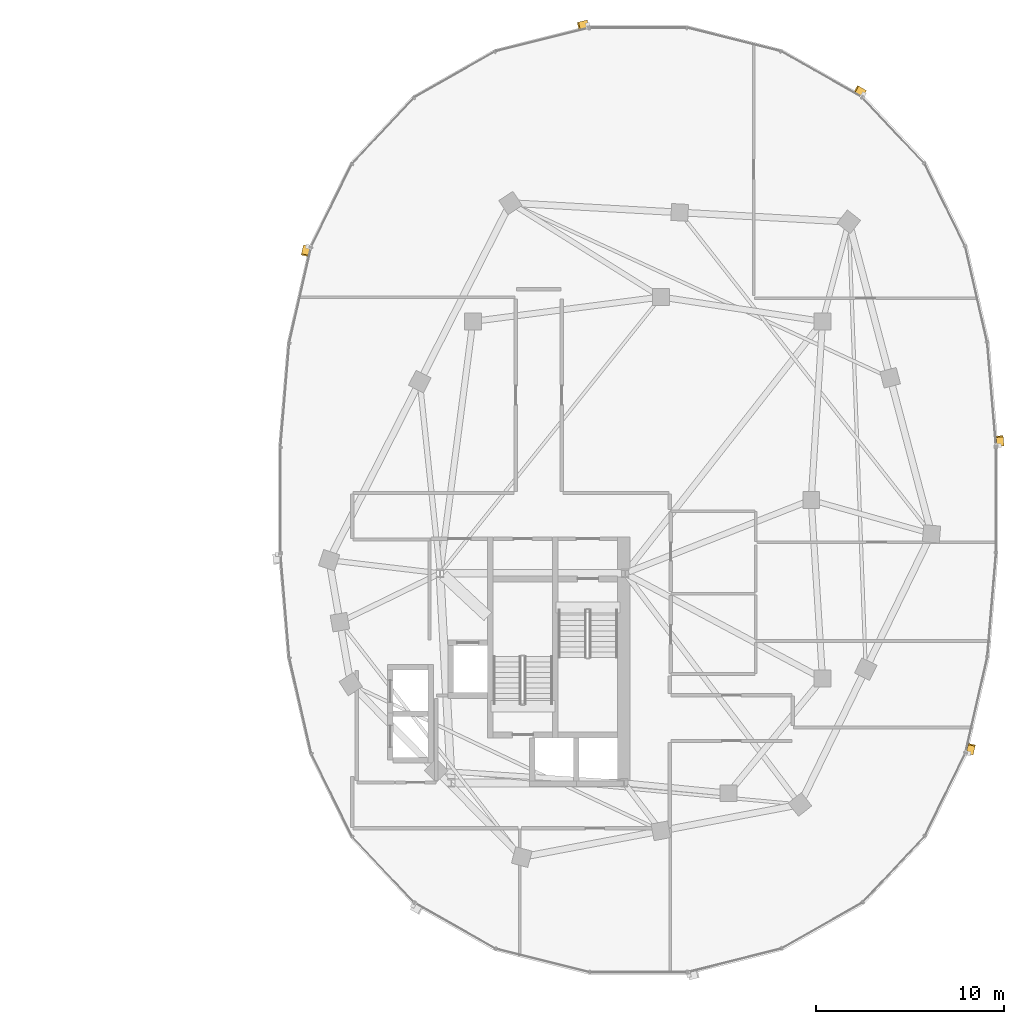
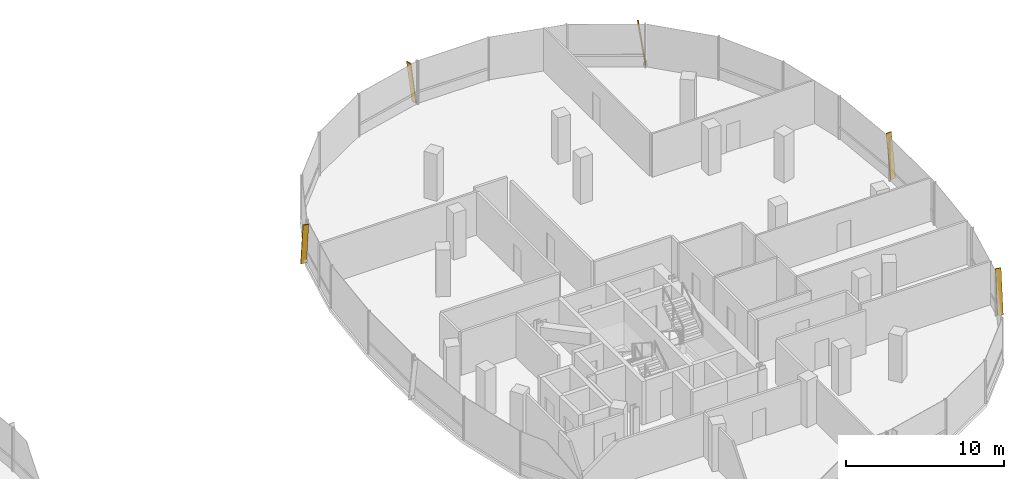
# One storey, part 25 of 25: 5 shading devices.
"""IFC4 building model written with IfcOpenShell, lengths in metres."""

from ifc_helpers import new_model, si_unit, direction, frame, origin, origin_2d, place, context, subcontext, project, spatial, rectangle, extrude, material, material_profile, profile_set, type_object, element, save


model = new_model("IFC4")

# Units and contexts
model_context = context("Model", 3, precision=1e-05, world=origin(), true_north=direction((0.0, 1.0)))
body_context = subcontext(model_context, "Body", "Model", "MODEL_VIEW")
ifc_project = project(units=[si_unit("LENGTHUNIT", "METRE"), si_unit("AREAUNIT", "SQUARE_METRE"), si_unit("VOLUMEUNIT", "CUBIC_METRE"), si_unit("PLANEANGLEUNIT", "RADIAN"), si_unit("MASSUNIT", "GRAM", prefix="KILO"), si_unit("THERMODYNAMICTEMPERATUREUNIT", "KELVIN"), si_unit("POWERUNIT", "WATT")], contexts=[model_context])

# Site, building, storey
site_placement = place(None, origin())
site = spatial("IfcSite", under=ifc_project, at=site_placement, CompositionType="ELEMENT")
building_placement = place(site_placement, origin())
building = spatial("IfcBuilding", under=site, at=building_placement, Name="Cundina Bronze Exchange", CompositionType="ELEMENT")
storey_placement = place(building_placement, frame((0.0, 0.0, 213.39990234375)))
storey = spatial("IfcBuildingStorey", under=building, at=storey_placement, Name="L56", CompositionType="ELEMENT", Elevation=213.39990234375)

# Shading devices
ifc_material = material(Name="Anodised Bronze Aluminium 6063-T6", Category="aluminium")
ifc_material_profile = material_profile(ifc_material, rectangle(XDim=0.070068359375, YDim=0.3798828125, at=origin_2d()), Name="FIN70X380", Category="aluminium")
ifc_profile_set = profile_set([ifc_material_profile], Name="Anodised Bronze Aluminium 6063-T6")
shading_device_type = type_object("IfcShadingDeviceType", Name="SHD-FIN-BRZ380", PredefinedType="USERDEFINED", material=ifc_profile_set)
for number, where, z_axis, x_axis, name in (
    (1, (51.264404296875, 2.90283203125, 0.02001953125), (-0.012006555776, 0.143419772964, 0.98958911238), (0.082555834947, -0.986139516224, 0.143921466983), "L56 Diagonal Bronze Solar Fin 1"),
    (2, (44.015625, 21.635498046875, 0.02001953125), (-0.125189514072, 0.071087145125, 0.989582843103), (0.860526986551, -0.488638423358, 0.143964567292), "L56 Diagonal Bronze Solar Fin 5"),
    (3, (29.294189453125, 25.344482421875, 0.02001953125), (-0.139611891367, -0.03514090606, 0.989582556693), (0.959650042543, 0.24154799183, 0.143966536007), "L56 Diagonal Bronze Solar Fin 1"),
    (4, (14.363037109375, 13.4931640625, 0.02001953125), (-0.032139238682, -0.140343782583, 0.989581068951), (0.220899412839, 0.964610875656, 0.14397676192), "L56 Diagonal Bronze Solar Fin 5"),
    (5, (49.636962890625, -13.4931640625, 0.02001953125), (0.032139238682, 0.140343782583, 0.989581068951), (-0.220899412839, -0.964610875656, 0.14397676192), "L56 Diagonal Bronze Solar Fin 5"),
):
    element("IfcShadingDevice", number, at=place(storey_placement, frame(where, z_axis=z_axis, x_axis=x_axis)), inside=storey, type_object=shading_device_type, Name=name, ObjectType="FIN", PredefinedType="USERDEFINED", context=body_context, shape_type="SweptSolid", body=[
        extrude(rectangle(XDim=0.070068359375, YDim=0.3798828125, at=origin_2d()), origin(), (0.0, 0.0, 1.0), 3.334716796875),
    ])

save(model, "model.ifc")
